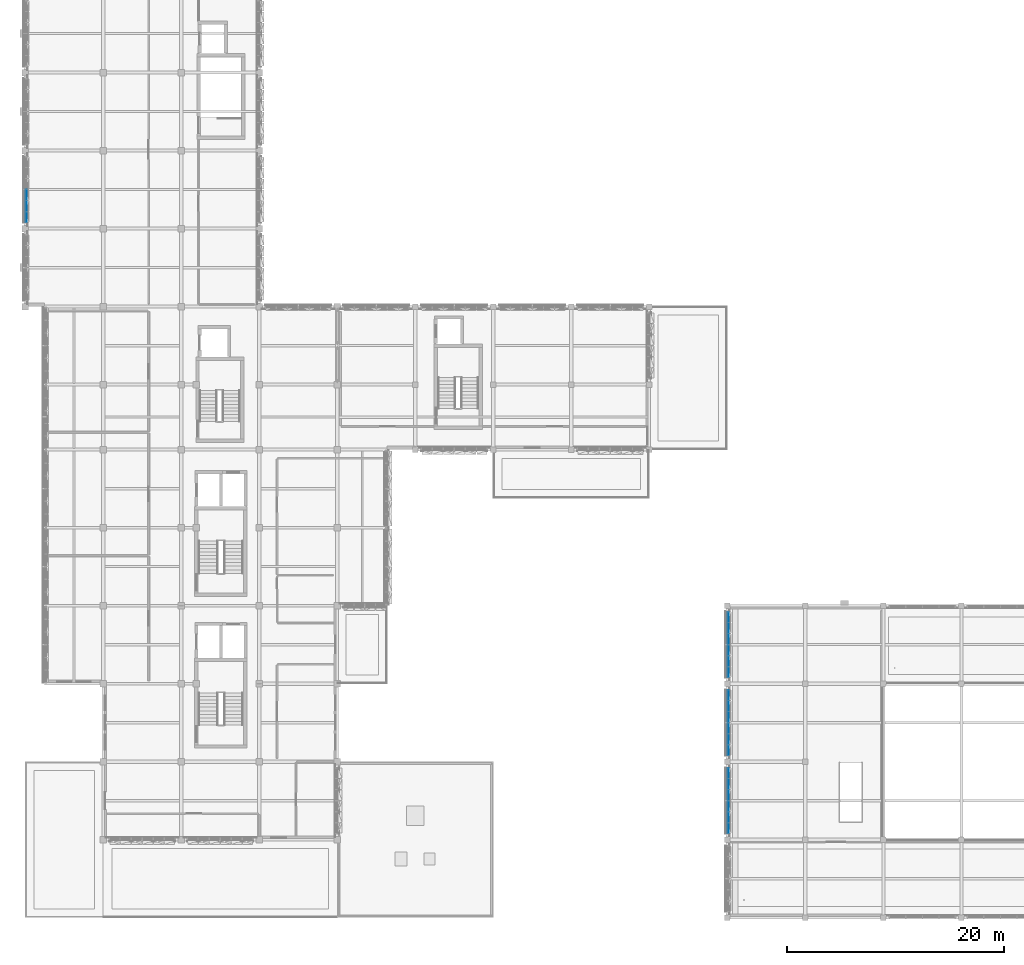
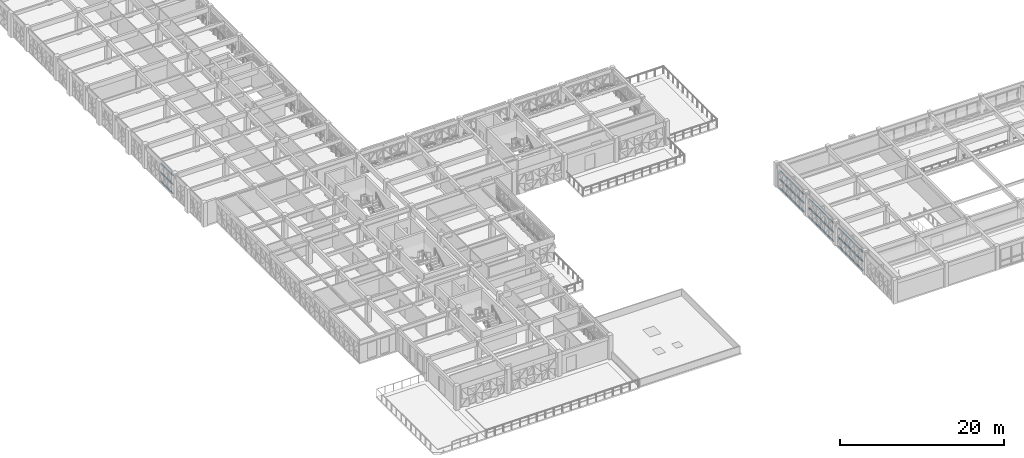
# One storey, part 20 of 74: 63 members, 4 elements without a shape of their own.
"""IFC4 building model written with IfcOpenShell, lengths in metres."""

from ifc_helpers import new_model, si_unit, direction, frame, origin, origin_2d, place, context, subcontext, project, spatial, rectangle, extrude, material, material_profile, profile_set, type_object, element, aggregate, save


model = new_model("IFC4")

# Units and contexts
model_context = context("Model", 3, precision=1e-05, world=origin(), true_north=direction((0.0, 1.0)))
body_context = subcontext(model_context, "Body", "Model", "MODEL_VIEW")
ifc_project = project(units=[si_unit("LENGTHUNIT", "METRE"), si_unit("AREAUNIT", "SQUARE_METRE"), si_unit("VOLUMEUNIT", "CUBIC_METRE"), si_unit("PLANEANGLEUNIT", "RADIAN"), si_unit("MASSUNIT", "GRAM", prefix="KILO")], contexts=[model_context])

# Site, building, storey
site_placement = place(None, origin())
site = spatial("IfcSite", under=ifc_project, at=site_placement, CompositionType="ELEMENT")
building_placement = place(site_placement, origin())
building = spatial("IfcBuilding", under=site, at=building_placement, Name="Alvorim Cloister Faculty of Sciences", CompositionType="ELEMENT")
storey_placement = place(building_placement, frame((0.0, 0.0, 15.75)))
storey = spatial("IfcBuildingStorey", under=building, at=storey_placement, Name="L04", CompositionType="ELEMENT", Elevation=15.75)

# Curtain wall, members
ifc_material_1 = material(Name="Aluminium and Low-E Glass Curtain Wall", Category="aluminium")
curtain_wall_type_1 = type_object("IfcCurtainWallType", Name="CW-TRI-6120x2850", PredefinedType="USERDEFINED", material=ifc_material_1)
curtain_wall_1_placement = place(storey_placement, origin())
curtain_wall_1 = element("IfcCurtainWall", 1, at=curtain_wall_1_placement, inside=storey, type_object=curtain_wall_type_1, Name="L04 Diagonal Cassette Curtain Wall CW-0171", ObjectType="UNITISED CURTAIN WALL", PredefinedType="USERDEFINED")
ifc_material_2 = material(Name="Aluminium Alloy 6063-T6", Category="aluminium")
ifc_material_profile = material_profile(ifc_material_2, rectangle(XDim=0.06494140625, YDim=0.139892578125, at=origin_2d()), Name="ALU-TRN-65x140")
ifc_profile_set = profile_set([ifc_material_profile], Name="Aluminium Alloy 6063-T6")
member_type = type_object("IfcMemberType", Name="CW-TRN-65x140", PredefinedType="USERDEFINED", material=ifc_profile_set)
member_1_placement = place(storey_placement, frame((0.090087890625, 64.205078125, 0.070068359375), z_axis=(0.0, 1.0, 0.0), x_axis=(-1.0, 0.0, 0.0)))
member_1 = element("IfcMember", 2, at=member_1_placement, type_object=member_type, Name="CW-0171 Transom 1.1", ObjectType="TRANSOM", PredefinedType="USERDEFINED", context=body_context, shape_type="SweptSolid", body=[
    extrude(rectangle(XDim=0.06494140625, YDim=0.139892578125, at=origin_2d()), origin(), (0.0, 0.0, 1.0), 0.92236328125),
])
member_2_placement = place(storey_placement, frame((0.090087890625, 64.205078125, 1.425048828125), z_axis=(0.0, 1.0, 0.0), x_axis=(-1.0, 0.0, 0.0)))
member_2 = element("IfcMember", 3, at=member_2_placement, type_object=member_type, Name="CW-0171 Transom 1.2", ObjectType="TRANSOM", PredefinedType="USERDEFINED", context=body_context, shape_type="SweptSolid", body=[
    extrude(rectangle(XDim=0.06494140625, YDim=0.139892578125, at=origin_2d()), origin(), (0.0, 0.0, 1.0), 0.92236328125),
])
member_3_placement = place(storey_placement, frame((0.090087890625, 64.205078125, 2.780029296875), z_axis=(0.0, 1.0, 0.0), x_axis=(-1.0, 0.0, 0.0)))
member_3 = element("IfcMember", 4, at=member_3_placement, type_object=member_type, Name="CW-0171 Transom 1.3", ObjectType="TRANSOM", PredefinedType="USERDEFINED", context=body_context, shape_type="SweptSolid", body=[
    extrude(rectangle(XDim=0.06494140625, YDim=0.139892578125, at=origin_2d()), origin(), (0.0, 0.0, 1.0), 0.92236328125),
])
member_4_placement = place(storey_placement, frame((0.090087890625, 65.1923828125, 0.070068359375), z_axis=(0.0, 1.0, 0.0), x_axis=(-1.0, 0.0, 0.0)))
member_4 = element("IfcMember", 5, at=member_4_placement, type_object=member_type, Name="CW-0171 Transom 2.1", ObjectType="TRANSOM", PredefinedType="USERDEFINED", context=body_context, shape_type="SweptSolid", body=[
    extrude(rectangle(XDim=0.06494140625, YDim=0.139892578125, at=origin_2d()), origin(), (0.0, 0.0, 1.0), 0.955078125),
])
member_5_placement = place(storey_placement, frame((0.090087890625, 65.1923828125, 1.425048828125), z_axis=(0.0, 1.0, 0.0), x_axis=(-1.0, 0.0, 0.0)))
member_5 = element("IfcMember", 6, at=member_5_placement, type_object=member_type, Name="CW-0171 Transom 2.2", ObjectType="TRANSOM", PredefinedType="USERDEFINED", context=body_context, shape_type="SweptSolid", body=[
    extrude(rectangle(XDim=0.06494140625, YDim=0.139892578125, at=origin_2d()), origin(), (0.0, 0.0, 1.0), 0.955078125),
])
member_6_placement = place(storey_placement, frame((0.090087890625, 65.1923828125, 2.780029296875), z_axis=(0.0, 1.0, 0.0), x_axis=(-1.0, 0.0, 0.0)))
member_6 = element("IfcMember", 7, at=member_6_placement, type_object=member_type, Name="CW-0171 Transom 2.3", ObjectType="TRANSOM", PredefinedType="USERDEFINED", context=body_context, shape_type="SweptSolid", body=[
    extrude(rectangle(XDim=0.06494140625, YDim=0.139892578125, at=origin_2d()), origin(), (0.0, 0.0, 1.0), 0.955078125),
])
member_7_placement = place(storey_placement, frame((0.090087890625, 66.21240234375, 0.070068359375), z_axis=(0.0, 1.0, 0.0), x_axis=(-1.0, 0.0, 0.0)))
member_7 = element("IfcMember", 8, at=member_7_placement, type_object=member_type, Name="CW-0171 Transom 3.1", ObjectType="TRANSOM", PredefinedType="USERDEFINED", context=body_context, shape_type="SweptSolid", body=[
    extrude(rectangle(XDim=0.06494140625, YDim=0.139892578125, at=origin_2d()), origin(), (0.0, 0.0, 1.0), 0.955078125),
])
member_8_placement = place(storey_placement, frame((0.090087890625, 66.21240234375, 1.425048828125), z_axis=(0.0, 1.0, 0.0), x_axis=(-1.0, 0.0, 0.0)))
member_8 = element("IfcMember", 9, at=member_8_placement, type_object=member_type, Name="CW-0171 Transom 3.2", ObjectType="TRANSOM", PredefinedType="USERDEFINED", context=body_context, shape_type="SweptSolid", body=[
    extrude(rectangle(XDim=0.06494140625, YDim=0.139892578125, at=origin_2d()), origin(), (0.0, 0.0, 1.0), 0.955078125),
])
member_9_placement = place(storey_placement, frame((0.090087890625, 66.21240234375, 2.780029296875), z_axis=(0.0, 1.0, 0.0), x_axis=(-1.0, 0.0, 0.0)))
member_9 = element("IfcMember", 10, at=member_9_placement, type_object=member_type, Name="CW-0171 Transom 3.3", ObjectType="TRANSOM", PredefinedType="USERDEFINED", context=body_context, shape_type="SweptSolid", body=[
    extrude(rectangle(XDim=0.06494140625, YDim=0.139892578125, at=origin_2d()), origin(), (0.0, 0.0, 1.0), 0.955078125),
])
aggregate(curtain_wall_1, [member_1, member_2, member_3, member_4, member_5, member_6, member_7, member_8, member_9])

curtain_wall_2_placement = place(storey_placement, origin())
curtain_wall_2 = element("IfcCurtainWall", 11, at=curtain_wall_2_placement, inside=storey, type_object=curtain_wall_type_1, Name="L04 Diagonal Cassette Curtain Wall CW-0207", ObjectType="UNITISED CURTAIN WALL", PredefinedType="USERDEFINED")
member_10_placement = place(storey_placement, frame((64.889892578125, 7.804931640625, 0.070068359375), z_axis=(0.0, 1.0, 0.0), x_axis=(-1.0, 0.0, 0.0)))
member_10 = element("IfcMember", 12, at=member_10_placement, type_object=member_type, Name="CW-0207 Transom 1.1", ObjectType="TRANSOM", PredefinedType="USERDEFINED", context=body_context, shape_type="SweptSolid", body=[
    extrude(rectangle(XDim=0.06494140625, YDim=0.139892578125, at=origin_2d()), origin(), (0.0, 0.0, 1.0), 0.922607421875),
])
member_11_placement = place(storey_placement, frame((64.889892578125, 7.804931640625, 1.425048828125), z_axis=(0.0, 1.0, 0.0), x_axis=(-1.0, 0.0, 0.0)))
member_11 = element("IfcMember", 13, at=member_11_placement, type_object=member_type, Name="CW-0207 Transom 1.2", ObjectType="TRANSOM", PredefinedType="USERDEFINED", context=body_context, shape_type="SweptSolid", body=[
    extrude(rectangle(XDim=0.06494140625, YDim=0.139892578125, at=origin_2d()), origin(), (0.0, 0.0, 1.0), 0.922607421875),
])
member_12_placement = place(storey_placement, frame((64.889892578125, 7.804931640625, 2.780029296875), z_axis=(0.0, 1.0, 0.0), x_axis=(-1.0, 0.0, 0.0)))
member_12 = element("IfcMember", 14, at=member_12_placement, type_object=member_type, Name="CW-0207 Transom 1.3", ObjectType="TRANSOM", PredefinedType="USERDEFINED", context=body_context, shape_type="SweptSolid", body=[
    extrude(rectangle(XDim=0.06494140625, YDim=0.139892578125, at=origin_2d()), origin(), (0.0, 0.0, 1.0), 0.922607421875),
])
member_13_placement = place(storey_placement, frame((64.889892578125, 8.79248046875, 0.070068359375), z_axis=(0.0, 1.0, 0.0), x_axis=(-1.0, 0.0, 0.0)))
member_13 = element("IfcMember", 15, at=member_13_placement, type_object=member_type, Name="CW-0207 Transom 2.1", ObjectType="TRANSOM", PredefinedType="USERDEFINED", context=body_context, shape_type="SweptSolid", body=[
    extrude(rectangle(XDim=0.06494140625, YDim=0.139892578125, at=origin_2d()), origin(), (0.0, 0.0, 1.0), 0.955078125),
])
member_14_placement = place(storey_placement, frame((64.889892578125, 8.79248046875, 1.425048828125), z_axis=(0.0, 1.0, 0.0), x_axis=(-1.0, 0.0, 0.0)))
member_14 = element("IfcMember", 16, at=member_14_placement, type_object=member_type, Name="CW-0207 Transom 2.2", ObjectType="TRANSOM", PredefinedType="USERDEFINED", context=body_context, shape_type="SweptSolid", body=[
    extrude(rectangle(XDim=0.06494140625, YDim=0.139892578125, at=origin_2d()), origin(), (0.0, 0.0, 1.0), 0.955078125),
])
member_15_placement = place(storey_placement, frame((64.889892578125, 8.79248046875, 2.780029296875), z_axis=(0.0, 1.0, 0.0), x_axis=(-1.0, 0.0, 0.0)))
member_15 = element("IfcMember", 17, at=member_15_placement, type_object=member_type, Name="CW-0207 Transom 2.3", ObjectType="TRANSOM", PredefinedType="USERDEFINED", context=body_context, shape_type="SweptSolid", body=[
    extrude(rectangle(XDim=0.06494140625, YDim=0.139892578125, at=origin_2d()), origin(), (0.0, 0.0, 1.0), 0.955078125),
])
member_16_placement = place(storey_placement, frame((64.889892578125, 9.8125, 0.070068359375), z_axis=(0.0, 1.0, 0.0), x_axis=(-1.0, 0.0, 0.0)))
member_16 = element("IfcMember", 18, at=member_16_placement, type_object=member_type, Name="CW-0207 Transom 3.1", ObjectType="TRANSOM", PredefinedType="USERDEFINED", context=body_context, shape_type="SweptSolid", body=[
    extrude(rectangle(XDim=0.06494140625, YDim=0.139892578125, at=origin_2d()), origin(), (0.0, 0.0, 1.0), 0.955078125),
])
member_17_placement = place(storey_placement, frame((64.889892578125, 9.8125, 1.425048828125), z_axis=(0.0, 1.0, 0.0), x_axis=(-1.0, 0.0, 0.0)))
member_17 = element("IfcMember", 19, at=member_17_placement, type_object=member_type, Name="CW-0207 Transom 3.2", ObjectType="TRANSOM", PredefinedType="USERDEFINED", context=body_context, shape_type="SweptSolid", body=[
    extrude(rectangle(XDim=0.06494140625, YDim=0.139892578125, at=origin_2d()), origin(), (0.0, 0.0, 1.0), 0.955078125),
])
member_18_placement = place(storey_placement, frame((64.889892578125, 9.8125, 2.780029296875), z_axis=(0.0, 1.0, 0.0), x_axis=(-1.0, 0.0, 0.0)))
member_18 = element("IfcMember", 20, at=member_18_placement, type_object=member_type, Name="CW-0207 Transom 3.3", ObjectType="TRANSOM", PredefinedType="USERDEFINED", context=body_context, shape_type="SweptSolid", body=[
    extrude(rectangle(XDim=0.06494140625, YDim=0.139892578125, at=origin_2d()), origin(), (0.0, 0.0, 1.0), 0.955078125),
])
member_19_placement = place(storey_placement, frame((64.889892578125, 10.83251953125, 0.070068359375), z_axis=(0.0, 1.0, 0.0), x_axis=(-1.0, 0.0, 0.0)))
member_19 = element("IfcMember", 21, at=member_19_placement, type_object=member_type, Name="CW-0207 Transom 4.1", ObjectType="TRANSOM", PredefinedType="USERDEFINED", context=body_context, shape_type="SweptSolid", body=[
    extrude(rectangle(XDim=0.06494140625, YDim=0.139892578125, at=origin_2d()), origin(), (0.0, 0.0, 1.0), 0.955078125),
])
member_20_placement = place(storey_placement, frame((64.889892578125, 10.83251953125, 1.425048828125), z_axis=(0.0, 1.0, 0.0), x_axis=(-1.0, 0.0, 0.0)))
member_20 = element("IfcMember", 22, at=member_20_placement, type_object=member_type, Name="CW-0207 Transom 4.2", ObjectType="TRANSOM", PredefinedType="USERDEFINED", context=body_context, shape_type="SweptSolid", body=[
    extrude(rectangle(XDim=0.06494140625, YDim=0.139892578125, at=origin_2d()), origin(), (0.0, 0.0, 1.0), 0.955078125),
])
member_21_placement = place(storey_placement, frame((64.889892578125, 10.83251953125, 2.780029296875), z_axis=(0.0, 1.0, 0.0), x_axis=(-1.0, 0.0, 0.0)))
member_21 = element("IfcMember", 23, at=member_21_placement, type_object=member_type, Name="CW-0207 Transom 4.3", ObjectType="TRANSOM", PredefinedType="USERDEFINED", context=body_context, shape_type="SweptSolid", body=[
    extrude(rectangle(XDim=0.06494140625, YDim=0.139892578125, at=origin_2d()), origin(), (0.0, 0.0, 1.0), 0.955078125),
])
member_22_placement = place(storey_placement, frame((64.889892578125, 11.8525390625, 0.070068359375), z_axis=(0.0, 1.0, 0.0), x_axis=(-1.0, 0.0, 0.0)))
member_22 = element("IfcMember", 24, at=member_22_placement, type_object=member_type, Name="CW-0207 Transom 5.1", ObjectType="TRANSOM", PredefinedType="USERDEFINED", context=body_context, shape_type="SweptSolid", body=[
    extrude(rectangle(XDim=0.06494140625, YDim=0.139892578125, at=origin_2d()), origin(), (0.0, 0.0, 1.0), 0.955078125),
])
member_23_placement = place(storey_placement, frame((64.889892578125, 11.8525390625, 1.425048828125), z_axis=(0.0, 1.0, 0.0), x_axis=(-1.0, 0.0, 0.0)))
member_23 = element("IfcMember", 25, at=member_23_placement, type_object=member_type, Name="CW-0207 Transom 5.2", ObjectType="TRANSOM", PredefinedType="USERDEFINED", context=body_context, shape_type="SweptSolid", body=[
    extrude(rectangle(XDim=0.06494140625, YDim=0.139892578125, at=origin_2d()), origin(), (0.0, 0.0, 1.0), 0.955078125),
])
member_24_placement = place(storey_placement, frame((64.889892578125, 11.8525390625, 2.780029296875), z_axis=(0.0, 1.0, 0.0), x_axis=(-1.0, 0.0, 0.0)))
member_24 = element("IfcMember", 26, at=member_24_placement, type_object=member_type, Name="CW-0207 Transom 5.3", ObjectType="TRANSOM", PredefinedType="USERDEFINED", context=body_context, shape_type="SweptSolid", body=[
    extrude(rectangle(XDim=0.06494140625, YDim=0.139892578125, at=origin_2d()), origin(), (0.0, 0.0, 1.0), 0.955078125),
])
member_25_placement = place(storey_placement, frame((64.889892578125, 12.87255859375, 0.070068359375), z_axis=(0.0, 1.0, 0.0), x_axis=(-1.0, 0.0, 0.0)))
member_25 = element("IfcMember", 27, at=member_25_placement, type_object=member_type, Name="CW-0207 Transom 6.1", ObjectType="TRANSOM", PredefinedType="USERDEFINED", context=body_context, shape_type="SweptSolid", body=[
    extrude(rectangle(XDim=0.06494140625, YDim=0.139892578125, at=origin_2d()), origin(), (0.0, 0.0, 1.0), 0.92236328125),
])
member_26_placement = place(storey_placement, frame((64.889892578125, 12.87255859375, 1.425048828125), z_axis=(0.0, 1.0, 0.0), x_axis=(-1.0, 0.0, 0.0)))
member_26 = element("IfcMember", 28, at=member_26_placement, type_object=member_type, Name="CW-0207 Transom 6.2", ObjectType="TRANSOM", PredefinedType="USERDEFINED", context=body_context, shape_type="SweptSolid", body=[
    extrude(rectangle(XDim=0.06494140625, YDim=0.139892578125, at=origin_2d()), origin(), (0.0, 0.0, 1.0), 0.92236328125),
])
member_27_placement = place(storey_placement, frame((64.889892578125, 12.87255859375, 2.780029296875), z_axis=(0.0, 1.0, 0.0), x_axis=(-1.0, 0.0, 0.0)))
member_27 = element("IfcMember", 29, at=member_27_placement, type_object=member_type, Name="CW-0207 Transom 6.3", ObjectType="TRANSOM", PredefinedType="USERDEFINED", context=body_context, shape_type="SweptSolid", body=[
    extrude(rectangle(XDim=0.06494140625, YDim=0.139892578125, at=origin_2d()), origin(), (0.0, 0.0, 1.0), 0.92236328125),
])
aggregate(curtain_wall_2, [member_10, member_11, member_12, member_13, member_14, member_15, member_16, member_17, member_18, member_19, member_20, member_21, member_22, member_23, member_24, member_25, member_26, member_27])

curtain_wall_3_placement = place(storey_placement, origin())
curtain_wall_3 = element("IfcCurtainWall", 30, at=curtain_wall_3_placement, inside=storey, type_object=curtain_wall_type_1, Name="L04 Diagonal Cassette Curtain Wall CW-0208", ObjectType="UNITISED CURTAIN WALL", PredefinedType="USERDEFINED")
member_28_placement = place(storey_placement, frame((64.889892578125, 15.0048828125, 0.070068359375), z_axis=(0.0, 1.0, 0.0), x_axis=(-1.0, 0.0, 0.0)))
member_28 = element("IfcMember", 31, at=member_28_placement, type_object=member_type, Name="CW-0208 Transom 1.1", ObjectType="TRANSOM", PredefinedType="USERDEFINED", context=body_context, shape_type="SweptSolid", body=[
    extrude(rectangle(XDim=0.06494140625, YDim=0.139892578125, at=origin_2d()), origin(), (0.0, 0.0, 1.0), 0.922607421875),
])
member_29_placement = place(storey_placement, frame((64.889892578125, 15.0048828125, 1.425048828125), z_axis=(0.0, 1.0, 0.0), x_axis=(-1.0, 0.0, 0.0)))
member_29 = element("IfcMember", 32, at=member_29_placement, type_object=member_type, Name="CW-0208 Transom 1.2", ObjectType="TRANSOM", PredefinedType="USERDEFINED", context=body_context, shape_type="SweptSolid", body=[
    extrude(rectangle(XDim=0.06494140625, YDim=0.139892578125, at=origin_2d()), origin(), (0.0, 0.0, 1.0), 0.922607421875),
])
member_30_placement = place(storey_placement, frame((64.889892578125, 15.0048828125, 2.780029296875), z_axis=(0.0, 1.0, 0.0), x_axis=(-1.0, 0.0, 0.0)))
member_30 = element("IfcMember", 33, at=member_30_placement, type_object=member_type, Name="CW-0208 Transom 1.3", ObjectType="TRANSOM", PredefinedType="USERDEFINED", context=body_context, shape_type="SweptSolid", body=[
    extrude(rectangle(XDim=0.06494140625, YDim=0.139892578125, at=origin_2d()), origin(), (0.0, 0.0, 1.0), 0.922607421875),
])
member_31_placement = place(storey_placement, frame((64.889892578125, 15.992431640625, 0.070068359375), z_axis=(0.0, 1.0, 0.0), x_axis=(-1.0, 0.0, 0.0)))
member_31 = element("IfcMember", 34, at=member_31_placement, type_object=member_type, Name="CW-0208 Transom 2.1", ObjectType="TRANSOM", PredefinedType="USERDEFINED", context=body_context, shape_type="SweptSolid", body=[
    extrude(rectangle(XDim=0.06494140625, YDim=0.139892578125, at=origin_2d()), origin(), (0.0, 0.0, 1.0), 0.955078125),
])
member_32_placement = place(storey_placement, frame((64.889892578125, 15.992431640625, 1.425048828125), z_axis=(0.0, 1.0, 0.0), x_axis=(-1.0, 0.0, 0.0)))
member_32 = element("IfcMember", 35, at=member_32_placement, type_object=member_type, Name="CW-0208 Transom 2.2", ObjectType="TRANSOM", PredefinedType="USERDEFINED", context=body_context, shape_type="SweptSolid", body=[
    extrude(rectangle(XDim=0.06494140625, YDim=0.139892578125, at=origin_2d()), origin(), (0.0, 0.0, 1.0), 0.955078125),
])
member_33_placement = place(storey_placement, frame((64.889892578125, 15.992431640625, 2.780029296875), z_axis=(0.0, 1.0, 0.0), x_axis=(-1.0, 0.0, 0.0)))
member_33 = element("IfcMember", 36, at=member_33_placement, type_object=member_type, Name="CW-0208 Transom 2.3", ObjectType="TRANSOM", PredefinedType="USERDEFINED", context=body_context, shape_type="SweptSolid", body=[
    extrude(rectangle(XDim=0.06494140625, YDim=0.139892578125, at=origin_2d()), origin(), (0.0, 0.0, 1.0), 0.955078125),
])
member_34_placement = place(storey_placement, frame((64.889892578125, 17.012451171875, 0.070068359375), z_axis=(0.0, 1.0, 0.0), x_axis=(-1.0, 0.0, 0.0)))
member_34 = element("IfcMember", 37, at=member_34_placement, type_object=member_type, Name="CW-0208 Transom 3.1", ObjectType="TRANSOM", PredefinedType="USERDEFINED", context=body_context, shape_type="SweptSolid", body=[
    extrude(rectangle(XDim=0.06494140625, YDim=0.139892578125, at=origin_2d()), origin(), (0.0, 0.0, 1.0), 0.955078125),
])
member_35_placement = place(storey_placement, frame((64.889892578125, 17.012451171875, 1.425048828125), z_axis=(0.0, 1.0, 0.0), x_axis=(-1.0, 0.0, 0.0)))
member_35 = element("IfcMember", 38, at=member_35_placement, type_object=member_type, Name="CW-0208 Transom 3.2", ObjectType="TRANSOM", PredefinedType="USERDEFINED", context=body_context, shape_type="SweptSolid", body=[
    extrude(rectangle(XDim=0.06494140625, YDim=0.139892578125, at=origin_2d()), origin(), (0.0, 0.0, 1.0), 0.955078125),
])
member_36_placement = place(storey_placement, frame((64.889892578125, 17.012451171875, 2.780029296875), z_axis=(0.0, 1.0, 0.0), x_axis=(-1.0, 0.0, 0.0)))
member_36 = element("IfcMember", 39, at=member_36_placement, type_object=member_type, Name="CW-0208 Transom 3.3", ObjectType="TRANSOM", PredefinedType="USERDEFINED", context=body_context, shape_type="SweptSolid", body=[
    extrude(rectangle(XDim=0.06494140625, YDim=0.139892578125, at=origin_2d()), origin(), (0.0, 0.0, 1.0), 0.955078125),
])
member_37_placement = place(storey_placement, frame((64.889892578125, 18.032470703125, 0.070068359375), z_axis=(0.0, 1.0, 0.0), x_axis=(-1.0, 0.0, 0.0)))
member_37 = element("IfcMember", 40, at=member_37_placement, type_object=member_type, Name="CW-0208 Transom 4.1", ObjectType="TRANSOM", PredefinedType="USERDEFINED", context=body_context, shape_type="SweptSolid", body=[
    extrude(rectangle(XDim=0.06494140625, YDim=0.139892578125, at=origin_2d()), origin(), (0.0, 0.0, 1.0), 0.955078125),
])
member_38_placement = place(storey_placement, frame((64.889892578125, 18.032470703125, 1.425048828125), z_axis=(0.0, 1.0, 0.0), x_axis=(-1.0, 0.0, 0.0)))
member_38 = element("IfcMember", 41, at=member_38_placement, type_object=member_type, Name="CW-0208 Transom 4.2", ObjectType="TRANSOM", PredefinedType="USERDEFINED", context=body_context, shape_type="SweptSolid", body=[
    extrude(rectangle(XDim=0.06494140625, YDim=0.139892578125, at=origin_2d()), origin(), (0.0, 0.0, 1.0), 0.955078125),
])
member_39_placement = place(storey_placement, frame((64.889892578125, 18.032470703125, 2.780029296875), z_axis=(0.0, 1.0, 0.0), x_axis=(-1.0, 0.0, 0.0)))
member_39 = element("IfcMember", 42, at=member_39_placement, type_object=member_type, Name="CW-0208 Transom 4.3", ObjectType="TRANSOM", PredefinedType="USERDEFINED", context=body_context, shape_type="SweptSolid", body=[
    extrude(rectangle(XDim=0.06494140625, YDim=0.139892578125, at=origin_2d()), origin(), (0.0, 0.0, 1.0), 0.955078125),
])
member_40_placement = place(storey_placement, frame((64.889892578125, 19.052490234375, 0.070068359375), z_axis=(0.0, 1.0, 0.0), x_axis=(-1.0, 0.0, 0.0)))
member_40 = element("IfcMember", 43, at=member_40_placement, type_object=member_type, Name="CW-0208 Transom 5.1", ObjectType="TRANSOM", PredefinedType="USERDEFINED", context=body_context, shape_type="SweptSolid", body=[
    extrude(rectangle(XDim=0.06494140625, YDim=0.139892578125, at=origin_2d()), origin(), (0.0, 0.0, 1.0), 0.955078125),
])
member_41_placement = place(storey_placement, frame((64.889892578125, 19.052490234375, 1.425048828125), z_axis=(0.0, 1.0, 0.0), x_axis=(-1.0, 0.0, 0.0)))
member_41 = element("IfcMember", 44, at=member_41_placement, type_object=member_type, Name="CW-0208 Transom 5.2", ObjectType="TRANSOM", PredefinedType="USERDEFINED", context=body_context, shape_type="SweptSolid", body=[
    extrude(rectangle(XDim=0.06494140625, YDim=0.139892578125, at=origin_2d()), origin(), (0.0, 0.0, 1.0), 0.955078125),
])
member_42_placement = place(storey_placement, frame((64.889892578125, 19.052490234375, 2.780029296875), z_axis=(0.0, 1.0, 0.0), x_axis=(-1.0, 0.0, 0.0)))
member_42 = element("IfcMember", 45, at=member_42_placement, type_object=member_type, Name="CW-0208 Transom 5.3", ObjectType="TRANSOM", PredefinedType="USERDEFINED", context=body_context, shape_type="SweptSolid", body=[
    extrude(rectangle(XDim=0.06494140625, YDim=0.139892578125, at=origin_2d()), origin(), (0.0, 0.0, 1.0), 0.955078125),
])
member_43_placement = place(storey_placement, frame((64.889892578125, 20.072509765625, 0.070068359375), z_axis=(0.0, 1.0, 0.0), x_axis=(-1.0, 0.0, 0.0)))
member_43 = element("IfcMember", 46, at=member_43_placement, type_object=member_type, Name="CW-0208 Transom 6.1", ObjectType="TRANSOM", PredefinedType="USERDEFINED", context=body_context, shape_type="SweptSolid", body=[
    extrude(rectangle(XDim=0.06494140625, YDim=0.139892578125, at=origin_2d()), origin(), (0.0, 0.0, 1.0), 0.922607421875),
])
member_44_placement = place(storey_placement, frame((64.889892578125, 20.072509765625, 1.425048828125), z_axis=(0.0, 1.0, 0.0), x_axis=(-1.0, 0.0, 0.0)))
member_44 = element("IfcMember", 47, at=member_44_placement, type_object=member_type, Name="CW-0208 Transom 6.2", ObjectType="TRANSOM", PredefinedType="USERDEFINED", context=body_context, shape_type="SweptSolid", body=[
    extrude(rectangle(XDim=0.06494140625, YDim=0.139892578125, at=origin_2d()), origin(), (0.0, 0.0, 1.0), 0.922607421875),
])
member_45_placement = place(storey_placement, frame((64.889892578125, 20.072509765625, 2.780029296875), z_axis=(0.0, 1.0, 0.0), x_axis=(-1.0, 0.0, 0.0)))
member_45 = element("IfcMember", 48, at=member_45_placement, type_object=member_type, Name="CW-0208 Transom 6.3", ObjectType="TRANSOM", PredefinedType="USERDEFINED", context=body_context, shape_type="SweptSolid", body=[
    extrude(rectangle(XDim=0.06494140625, YDim=0.139892578125, at=origin_2d()), origin(), (0.0, 0.0, 1.0), 0.922607421875),
])
aggregate(curtain_wall_3, [member_28, member_29, member_30, member_31, member_32, member_33, member_34, member_35, member_36, member_37, member_38, member_39, member_40, member_41, member_42, member_43, member_44, member_45])

curtain_wall_type_2 = type_object("IfcCurtainWallType", Name="CW-TRI-6120x2746", PredefinedType="USERDEFINED", material=ifc_material_1)
curtain_wall_4_placement = place(storey_placement, origin())
curtain_wall_4 = element("IfcCurtainWall", 49, at=curtain_wall_4_placement, inside=storey, type_object=curtain_wall_type_2, Name="L04 Diagonal Cassette Curtain Wall CW-0209", ObjectType="UNITISED CURTAIN WALL", PredefinedType="USERDEFINED")
member_46_placement = place(storey_placement, frame((64.889892578125, 22.205078125, 0.070068359375), z_axis=(0.0, 1.0, 0.0), x_axis=(-1.0, 0.0, 0.0)))
member_46 = element("IfcMember", 50, at=member_46_placement, type_object=member_type, Name="CW-0209 Transom 1.1", ObjectType="TRANSOM", PredefinedType="USERDEFINED", context=body_context, shape_type="SweptSolid", body=[
    extrude(rectangle(XDim=0.06494140625, YDim=0.139892578125, at=origin_2d()), origin(), (0.0, 0.0, 1.0), 0.92236328125),
])
member_47_placement = place(storey_placement, frame((64.889892578125, 22.205078125, 1.372802734375), z_axis=(0.0, 1.0, 0.0), x_axis=(-1.0, 0.0, 0.0)))
member_47 = element("IfcMember", 51, at=member_47_placement, type_object=member_type, Name="CW-0209 Transom 1.2", ObjectType="TRANSOM", PredefinedType="USERDEFINED", context=body_context, shape_type="SweptSolid", body=[
    extrude(rectangle(XDim=0.06494140625, YDim=0.139892578125, at=origin_2d()), origin(), (0.0, 0.0, 1.0), 0.92236328125),
])
member_48_placement = place(storey_placement, frame((64.889892578125, 22.205078125, 2.675537109375), z_axis=(0.0, 1.0, 0.0), x_axis=(-1.0, 0.0, 0.0)))
member_48 = element("IfcMember", 52, at=member_48_placement, type_object=member_type, Name="CW-0209 Transom 1.3", ObjectType="TRANSOM", PredefinedType="USERDEFINED", context=body_context, shape_type="SweptSolid", body=[
    extrude(rectangle(XDim=0.06494140625, YDim=0.139892578125, at=origin_2d()), origin(), (0.0, 0.0, 1.0), 0.92236328125),
])
member_49_placement = place(storey_placement, frame((64.889892578125, 23.1923828125, 0.070068359375), z_axis=(0.0, 1.0, 0.0), x_axis=(-1.0, 0.0, 0.0)))
member_49 = element("IfcMember", 53, at=member_49_placement, type_object=member_type, Name="CW-0209 Transom 2.1", ObjectType="TRANSOM", PredefinedType="USERDEFINED", context=body_context, shape_type="SweptSolid", body=[
    extrude(rectangle(XDim=0.06494140625, YDim=0.139892578125, at=origin_2d()), origin(), (0.0, 0.0, 1.0), 0.955078125),
])
member_50_placement = place(storey_placement, frame((64.889892578125, 23.1923828125, 1.372802734375), z_axis=(0.0, 1.0, 0.0), x_axis=(-1.0, 0.0, 0.0)))
member_50 = element("IfcMember", 54, at=member_50_placement, type_object=member_type, Name="CW-0209 Transom 2.2", ObjectType="TRANSOM", PredefinedType="USERDEFINED", context=body_context, shape_type="SweptSolid", body=[
    extrude(rectangle(XDim=0.06494140625, YDim=0.139892578125, at=origin_2d()), origin(), (0.0, 0.0, 1.0), 0.955078125),
])
member_51_placement = place(storey_placement, frame((64.889892578125, 23.1923828125, 2.675537109375), z_axis=(0.0, 1.0, 0.0), x_axis=(-1.0, 0.0, 0.0)))
member_51 = element("IfcMember", 55, at=member_51_placement, type_object=member_type, Name="CW-0209 Transom 2.3", ObjectType="TRANSOM", PredefinedType="USERDEFINED", context=body_context, shape_type="SweptSolid", body=[
    extrude(rectangle(XDim=0.06494140625, YDim=0.139892578125, at=origin_2d()), origin(), (0.0, 0.0, 1.0), 0.955078125),
])
member_52_placement = place(storey_placement, frame((64.889892578125, 24.21240234375, 0.070068359375), z_axis=(0.0, 1.0, 0.0), x_axis=(-1.0, 0.0, 0.0)))
member_52 = element("IfcMember", 56, at=member_52_placement, type_object=member_type, Name="CW-0209 Transom 3.1", ObjectType="TRANSOM", PredefinedType="USERDEFINED", context=body_context, shape_type="SweptSolid", body=[
    extrude(rectangle(XDim=0.06494140625, YDim=0.139892578125, at=origin_2d()), origin(), (0.0, 0.0, 1.0), 0.955078125),
])
member_53_placement = place(storey_placement, frame((64.889892578125, 24.21240234375, 1.372802734375), z_axis=(0.0, 1.0, 0.0), x_axis=(-1.0, 0.0, 0.0)))
member_53 = element("IfcMember", 57, at=member_53_placement, type_object=member_type, Name="CW-0209 Transom 3.2", ObjectType="TRANSOM", PredefinedType="USERDEFINED", context=body_context, shape_type="SweptSolid", body=[
    extrude(rectangle(XDim=0.06494140625, YDim=0.139892578125, at=origin_2d()), origin(), (0.0, 0.0, 1.0), 0.955078125),
])
member_54_placement = place(storey_placement, frame((64.889892578125, 24.21240234375, 2.675537109375), z_axis=(0.0, 1.0, 0.0), x_axis=(-1.0, 0.0, 0.0)))
member_54 = element("IfcMember", 58, at=member_54_placement, type_object=member_type, Name="CW-0209 Transom 3.3", ObjectType="TRANSOM", PredefinedType="USERDEFINED", context=body_context, shape_type="SweptSolid", body=[
    extrude(rectangle(XDim=0.06494140625, YDim=0.139892578125, at=origin_2d()), origin(), (0.0, 0.0, 1.0), 0.955078125),
])
member_55_placement = place(storey_placement, frame((64.889892578125, 25.232421875, 0.070068359375), z_axis=(0.0, 1.0, 0.0), x_axis=(-1.0, 0.0, 0.0)))
member_55 = element("IfcMember", 59, at=member_55_placement, type_object=member_type, Name="CW-0209 Transom 4.1", ObjectType="TRANSOM", PredefinedType="USERDEFINED", context=body_context, shape_type="SweptSolid", body=[
    extrude(rectangle(XDim=0.06494140625, YDim=0.139892578125, at=origin_2d()), origin(), (0.0, 0.0, 1.0), 0.955078125),
])
member_56_placement = place(storey_placement, frame((64.889892578125, 25.232421875, 1.372802734375), z_axis=(0.0, 1.0, 0.0), x_axis=(-1.0, 0.0, 0.0)))
member_56 = element("IfcMember", 60, at=member_56_placement, type_object=member_type, Name="CW-0209 Transom 4.2", ObjectType="TRANSOM", PredefinedType="USERDEFINED", context=body_context, shape_type="SweptSolid", body=[
    extrude(rectangle(XDim=0.06494140625, YDim=0.139892578125, at=origin_2d()), origin(), (0.0, 0.0, 1.0), 0.955078125),
])
member_57_placement = place(storey_placement, frame((64.889892578125, 25.232421875, 2.675537109375), z_axis=(0.0, 1.0, 0.0), x_axis=(-1.0, 0.0, 0.0)))
member_57 = element("IfcMember", 61, at=member_57_placement, type_object=member_type, Name="CW-0209 Transom 4.3", ObjectType="TRANSOM", PredefinedType="USERDEFINED", context=body_context, shape_type="SweptSolid", body=[
    extrude(rectangle(XDim=0.06494140625, YDim=0.139892578125, at=origin_2d()), origin(), (0.0, 0.0, 1.0), 0.955078125),
])
member_58_placement = place(storey_placement, frame((64.889892578125, 26.25244140625, 0.070068359375), z_axis=(0.0, 1.0, 0.0), x_axis=(-1.0, 0.0, 0.0)))
member_58 = element("IfcMember", 62, at=member_58_placement, type_object=member_type, Name="CW-0209 Transom 5.1", ObjectType="TRANSOM", PredefinedType="USERDEFINED", context=body_context, shape_type="SweptSolid", body=[
    extrude(rectangle(XDim=0.06494140625, YDim=0.139892578125, at=origin_2d()), origin(), (0.0, 0.0, 1.0), 0.955078125),
])
member_59_placement = place(storey_placement, frame((64.889892578125, 26.25244140625, 1.372802734375), z_axis=(0.0, 1.0, 0.0), x_axis=(-1.0, 0.0, 0.0)))
member_59 = element("IfcMember", 63, at=member_59_placement, type_object=member_type, Name="CW-0209 Transom 5.2", ObjectType="TRANSOM", PredefinedType="USERDEFINED", context=body_context, shape_type="SweptSolid", body=[
    extrude(rectangle(XDim=0.06494140625, YDim=0.139892578125, at=origin_2d()), origin(), (0.0, 0.0, 1.0), 0.955078125),
])
member_60_placement = place(storey_placement, frame((64.889892578125, 26.25244140625, 2.675537109375), z_axis=(0.0, 1.0, 0.0), x_axis=(-1.0, 0.0, 0.0)))
member_60 = element("IfcMember", 64, at=member_60_placement, type_object=member_type, Name="CW-0209 Transom 5.3", ObjectType="TRANSOM", PredefinedType="USERDEFINED", context=body_context, shape_type="SweptSolid", body=[
    extrude(rectangle(XDim=0.06494140625, YDim=0.139892578125, at=origin_2d()), origin(), (0.0, 0.0, 1.0), 0.955078125),
])
member_61_placement = place(storey_placement, frame((64.889892578125, 27.2724609375, 0.070068359375), z_axis=(0.0, 1.0, 0.0), x_axis=(-1.0, 0.0, 0.0)))
member_61 = element("IfcMember", 65, at=member_61_placement, type_object=member_type, Name="CW-0209 Transom 6.1", ObjectType="TRANSOM", PredefinedType="USERDEFINED", context=body_context, shape_type="SweptSolid", body=[
    extrude(rectangle(XDim=0.06494140625, YDim=0.139892578125, at=origin_2d()), origin(), (0.0, 0.0, 1.0), 0.922607421875),
])
member_62_placement = place(storey_placement, frame((64.889892578125, 27.2724609375, 1.372802734375), z_axis=(0.0, 1.0, 0.0), x_axis=(-1.0, 0.0, 0.0)))
member_62 = element("IfcMember", 66, at=member_62_placement, type_object=member_type, Name="CW-0209 Transom 6.2", ObjectType="TRANSOM", PredefinedType="USERDEFINED", context=body_context, shape_type="SweptSolid", body=[
    extrude(rectangle(XDim=0.06494140625, YDim=0.139892578125, at=origin_2d()), origin(), (0.0, 0.0, 1.0), 0.922607421875),
])
member_63_placement = place(storey_placement, frame((64.889892578125, 27.2724609375, 2.675537109375), z_axis=(0.0, 1.0, 0.0), x_axis=(-1.0, 0.0, 0.0)))
member_63 = element("IfcMember", 67, at=member_63_placement, type_object=member_type, Name="CW-0209 Transom 6.3", ObjectType="TRANSOM", PredefinedType="USERDEFINED", context=body_context, shape_type="SweptSolid", body=[
    extrude(rectangle(XDim=0.06494140625, YDim=0.139892578125, at=origin_2d()), origin(), (0.0, 0.0, 1.0), 0.922607421875),
])
aggregate(curtain_wall_4, [member_46, member_47, member_48, member_49, member_50, member_51, member_52, member_53, member_54, member_55, member_56, member_57, member_58, member_59, member_60, member_61, member_62, member_63])

save(model, "model.ifc")
